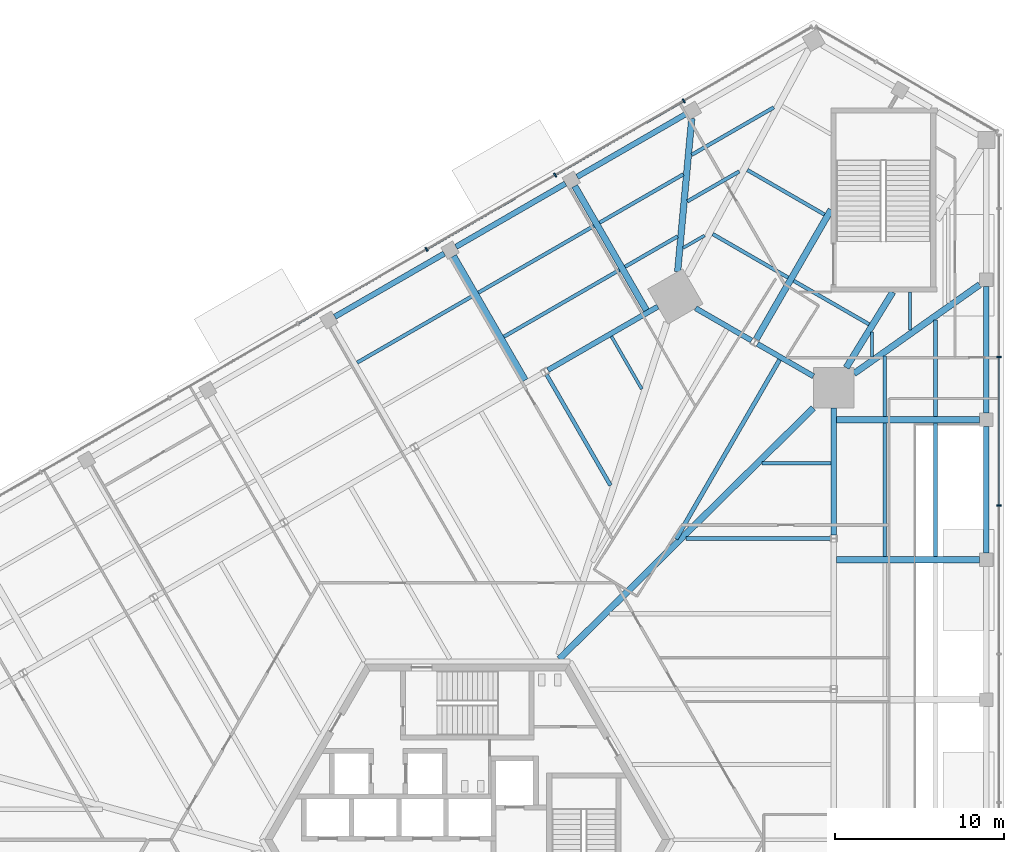
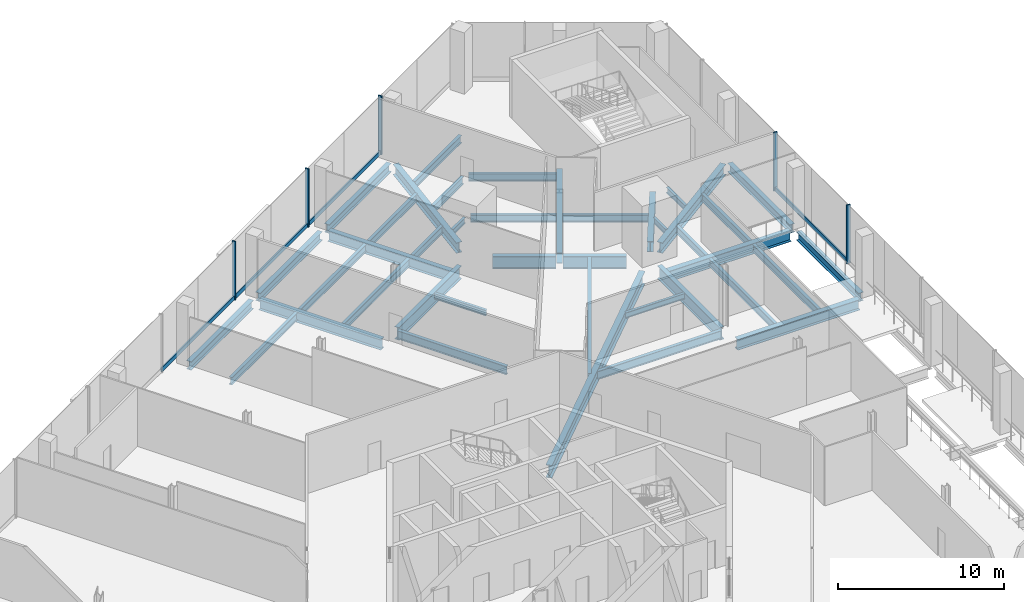
# One storey, part 14 of 27: 40 beams, 9 members, 2 elements without a shape of their own.
"""IFC4 building model written with IfcOpenShell, lengths in metres."""

from ifc_helpers import new_model, si_unit, direction, frame, origin, origin_2d, place, context, subcontext, project, spatial, rectangle, i_section, extrude, source, transform, mapped, material, material_profile, profile_set, type_object, element, aggregate, save


model = new_model("IFC4")

# Units and contexts
model_context = context("Model", 3, precision=1e-05, world=origin(), true_north=direction((0.0, 1.0)))
body_context = subcontext(model_context, "Body", "Model", "MODEL_VIEW")
ifc_project = project(units=[si_unit("LENGTHUNIT", "METRE"), si_unit("AREAUNIT", "SQUARE_METRE"), si_unit("VOLUMEUNIT", "CUBIC_METRE"), si_unit("PLANEANGLEUNIT", "RADIAN"), si_unit("MASSUNIT", "GRAM", prefix="KILO")], contexts=[model_context])

# Site, building, storey
site_placement = place(None, origin())
site = spatial("IfcSite", under=ifc_project, at=site_placement, CompositionType="ELEMENT")
building_placement = place(site_placement, origin())
building = spatial("IfcBuilding", under=site, at=building_placement, Name="Triune Harvest Tower", CompositionType="ELEMENT")
storey_placement = place(building_placement, frame((0.0, 0.0, 7.0)))
storey = spatial("IfcBuildingStorey", under=building, at=storey_placement, Name="L01", CompositionType="ELEMENT", Elevation=7.0)

# Beams
ifc_material_1 = material(Name="Steel ASTM A992 Gr 50", Category="steel")
ifc_material_profile_1 = material_profile(ifc_material_1, i_section(OverallWidth=0.309814453125, OverallDepth=0.93212890625, WebThickness=0.02099609375, FlangeThickness=0.034423828125, at=origin_2d()), Name="W36x210")
ifc_profile_set_1 = profile_set([ifc_material_profile_1], Name="Steel ASTM A992 Gr 50")
beam_type_1 = type_object("IfcBeamType", Name="SB-3 Spandrel beam W36x210", PredefinedType="SPANDREL", material=ifc_profile_set_1)
shared_shape_1 = source(origin(), body_context, "Body", "SweptSolid", [
    extrude(i_section(OverallWidth=0.309814453125, OverallDepth=0.93212890625, WebThickness=0.02099609375, FlangeThickness=0.034423828125, at=origin_2d()), origin(), (0.0, 0.0, 1.0), 7.508056640625),
])
beam_1_placement = place(storey_placement, frame((21.679443359375, 18.02197265625, -0.666015625), z_axis=(0.0, 1.0, 0.0), x_axis=(-1.0, 0.0, 0.0)))
element("IfcBeam", 1, at=beam_1_placement, inside=storey, type_object=beam_type_1, Name="beam/L01/SB6", PredefinedType="SPANDREL", context=body_context, shape_type="MappedRepresentation", body=[
    mapped(shared_shape_1, transform((0.0, 0.0, 0.0), scale=1.0)),
])
shared_shape_2 = source(origin(), body_context, "Body", "SweptSolid", [
    extrude(i_section(OverallWidth=0.309814453125, OverallDepth=0.93212890625, WebThickness=0.02099609375, FlangeThickness=0.034423828125, at=origin_2d()), origin(), (0.0, 0.0, 1.0), 3.822265625),
])
beam_2_placement = place(storey_placement, frame((20.4794921875, 27.4228515625, -0.666015625), z_axis=(-0.866033487859, 0.499985997711, 0.0), x_axis=(-0.499985997711, -0.866033487859, 0.0)))
element("IfcBeam", 2, at=beam_2_placement, inside=storey, type_object=beam_type_1, Name="beam/L01/SB7", PredefinedType="SPANDREL", context=body_context, shape_type="MappedRepresentation", body=[
    mapped(shared_shape_2, transform((0.0, 0.0, 0.0), scale=1.0)),
])
shared_shape_3 = source(origin(), body_context, "Body", "SweptSolid", [
    extrude(i_section(OverallWidth=0.309814453125, OverallDepth=0.93212890625, WebThickness=0.02099609375, FlangeThickness=0.034423828125, at=origin_2d()), origin(), (0.0, 0.0, 1.0), 3.822509765625),
])
beam_3_placement = place(storey_placement, frame((16.8193359375, 29.535888671875, -0.666015625), z_axis=(-0.866005830769, 0.500033899925, 0.0), x_axis=(-0.500033899925, -0.866005830769, 0.0)))
element("IfcBeam", 3, at=beam_3_placement, inside=storey, type_object=beam_type_1, Name="beam/L01/SB8", PredefinedType="SPANDREL", context=body_context, shape_type="MappedRepresentation", body=[
    mapped(shared_shape_3, transform((0.0, 0.0, 0.0), scale=1.0)),
])
shared_shape_4 = source(origin(), body_context, "Body", "SweptSolid", [
    extrude(i_section(OverallWidth=0.309814453125, OverallDepth=0.93212890625, WebThickness=0.02099609375, FlangeThickness=0.034423828125, at=origin_2d()), origin(), (0.0, 0.0, 1.0), 7.50830078125),
])
beam_4_placement = place(storey_placement, frame((11.27001953125, 31.5400390625, -0.666015625), z_axis=(-0.866027474485, -0.499996413425, 0.0), x_axis=(0.499996413425, -0.866027474485, 0.0)))
element("IfcBeam", 4, at=beam_4_placement, inside=storey, type_object=beam_type_1, Name="beam/L01/SB9", PredefinedType="SPANDREL", context=body_context, shape_type="MappedRepresentation", body=[
    mapped(shared_shape_4, transform((0.0, 0.0, 0.0), scale=1.0)),
])
ifc_material_2 = material(Name="Steel ASTM A992 Gr 50", Category="steel")
ifc_material_profile_2 = material_profile(ifc_material_2, i_section(OverallWidth=0.383544921875, OverallDepth=0.9423828125, WebThickness=0.022216796875, FlangeThickness=0.039794921875, at=origin_2d()), Name="W36x232")
ifc_profile_set_2 = profile_set([ifc_material_profile_2], Name="Steel ASTM A992 Gr 50")
beam_type_2 = type_object("IfcBeamType", Name="HG-1 Hip girder W36x232", PredefinedType="BEAM", material=ifc_profile_set_2)
shared_shape_5 = source(origin(), body_context, "Body", "SweptSolid", [
    extrude(i_section(OverallWidth=0.383544921875, OverallDepth=0.9423828125, WebThickness=0.022216796875, FlangeThickness=0.039794921875, at=origin_2d()), origin(), (0.0, 0.0, 1.0), 21.132568359375),
])
beam_5_placement = place(storey_placement, frame((20.4794921875, 25.545166015625, -0.671142578125), z_axis=(-0.711563602244, -0.7026216905, 0.0), x_axis=(0.7026216905, -0.711563602244, 0.0)))
element("IfcBeam", 5, at=beam_5_placement, inside=storey, type_object=beam_type_2, Name="beam/L01/HG2", PredefinedType="BEAM", context=body_context, shape_type="MappedRepresentation", body=[
    mapped(shared_shape_5, transform((0.0, 0.0, 0.0), scale=1.0)),
])
ifc_material_3 = material(Name="Steel ASTM A992 Gr 50", Category="steel")
ifc_material_profile_3 = material_profile(ifc_material_3, i_section(OverallWidth=0.180908203125, OverallDepth=0.41650390625, WebThickness=0.010986328125, FlangeThickness=0.01806640625, at=origin_2d()), Name="W16x57")
ifc_profile_set_3 = profile_set([ifc_material_profile_3], Name="Steel ASTM A992 Gr 50")
beam_type_3 = type_object("IfcBeamType", Name="JT-1 Floor joist W16x57", PredefinedType="JOIST", material=ifc_profile_set_3)
shared_shape_6 = source(origin(), body_context, "Body", "SweptSolid", [
    extrude(i_section(OverallWidth=0.180908203125, OverallDepth=0.41650390625, WebThickness=0.010986328125, FlangeThickness=0.01806640625, at=origin_2d()), origin(), (0.0, 0.0, 1.0), 3.596923828125),
])
beam_6_placement = place(storey_placement, frame((8.5283203125, 29.7783203125, -0.408203125), z_axis=(0.500029927959, -0.86600812418, 0.0), x_axis=(0.86600812418, 0.500029927959, 0.0)))
element("IfcBeam", 6, at=beam_6_placement, inside=storey, type_object=beam_type_3, Name="beam/L01/JT14", PredefinedType="JOIST", context=body_context, shape_type="MappedRepresentation", body=[
    mapped(shared_shape_6, transform((0.0, 0.0, 0.0), scale=1.0)),
])
ifc_material_4 = material(Name="Steel ASTM A992 Gr 50", Category="steel")
ifc_material_profile_4 = material_profile(ifc_material_4, i_section(OverallWidth=0.22900390625, OverallDepth=0.612060546875, WebThickness=0.011962890625, FlangeThickness=0.01953125, at=origin_2d()), Name="W24x84")
ifc_profile_set_4 = profile_set([ifc_material_profile_4], Name="Steel ASTM A992 Gr 50")
beam_type_4 = type_object("IfcBeamType", Name="JT-3 Floor joist W24x84", PredefinedType="JOIST", material=ifc_profile_set_4)
shared_shape_7 = source(origin(), body_context, "Body", "SweptSolid", [
    extrude(i_section(OverallWidth=0.22900390625, OverallDepth=0.612060546875, WebThickness=0.011962890625, FlangeThickness=0.01953125, at=origin_2d()), origin(), (0.0, 0.0, 1.0), 8.54736328125),
])
beam_7_placement = place(storey_placement, frame((21.476318359375, 17.820068359375, -0.506103515625), z_axis=(-1.0, 0.0, 0.0), x_axis=(0.0, -1.0, 0.0)))
element("IfcBeam", 7, at=beam_7_placement, inside=storey, type_object=beam_type_4, Name="beam/L01/JT10", PredefinedType="JOIST", context=body_context, shape_type="MappedRepresentation", body=[
    mapped(shared_shape_7, transform((0.0, 0.0, 0.0), scale=1.0)),
])
shared_shape_8 = source(origin(), body_context, "Body", "SweptSolid", [
    extrude(i_section(OverallWidth=0.180908203125, OverallDepth=0.41650390625, WebThickness=0.010986328125, FlangeThickness=0.01806640625, at=origin_2d()), origin(), (0.0, 0.0, 1.0), 4.083984375),
])
beam_8_placement = place(storey_placement, frame((21.524658203125, 22.27490234375, -0.408203125), z_axis=(-1.0, 0.0, 0.0), x_axis=(0.0, -1.0, 0.0)))
element("IfcBeam", 8, at=beam_8_placement, inside=storey, type_object=beam_type_3, Name="beam/L01/JT11", PredefinedType="JOIST", context=body_context, shape_type="MappedRepresentation", body=[
    mapped(shared_shape_8, transform((0.0, 0.0, 0.0), scale=1.0)),
])
ifc_material_5 = material(Name="Steel ASTM A992 Gr 50", Category="steel")
ifc_material_profile_5 = material_profile(ifc_material_5, i_section(OverallWidth=0.253662109375, OverallDepth=0.683349609375, WebThickness=0.012451171875, FlangeThickness=0.01904296875, at=origin_2d()), Name="W27x94")
ifc_profile_set_5 = profile_set([ifc_material_profile_5], Name="Steel ASTM A992 Gr 50")
beam_type_5 = type_object("IfcBeamType", Name="JT-4 Floor joist W27x94", PredefinedType="JOIST", material=ifc_profile_set_5)
shared_shape_9 = source(origin(), body_context, "Body", "SweptSolid", [
    extrude(i_section(OverallWidth=0.253662109375, OverallDepth=0.683349609375, WebThickness=0.012451171875, FlangeThickness=0.01904296875, at=origin_2d()), origin(), (0.0, 0.0, 1.0), 12.24853515625),
])
beam_9_placement = place(storey_placement, frame((18.478515625, 28.399169921875, -0.54150390625), z_axis=(-0.500004268083, -0.866022939592, 0.0), x_axis=(0.866022939592, -0.500004268083, 0.0)))
element("IfcBeam", 9, at=beam_9_placement, inside=storey, type_object=beam_type_5, Name="beam/L01/JT12", PredefinedType="JOIST", context=body_context, shape_type="MappedRepresentation", body=[
    mapped(shared_shape_9, transform((0.0, 0.0, 0.0), scale=1.0)),
])
shared_shape_10 = source(origin(), body_context, "Body", "SweptSolid", [
    extrude(i_section(OverallWidth=0.22900390625, OverallDepth=0.612060546875, WebThickness=0.011962890625, FlangeThickness=0.01953125, at=origin_2d()), origin(), (0.0, 0.0, 1.0), 7.55859375),
])
beam_10_placement = place(storey_placement, frame((4.6943359375, 27.509033203125, -0.506103515625), z_axis=(0.500002049001, -0.86602422079, 0.0), x_axis=(0.86602422079, 0.500002049001, 0.0)))
element("IfcBeam", 10, at=beam_10_placement, inside=storey, type_object=beam_type_4, Name="beam/L01/JT15", PredefinedType="JOIST", context=body_context, shape_type="MappedRepresentation", body=[
    mapped(shared_shape_10, transform((0.0, 0.0, 0.0), scale=1.0)),
])
ifc_material_6 = material(Name="Steel ASTM A992 Gr 50", Category="steel")
ifc_material_profile_6 = material_profile(ifc_material_6, i_section(OverallWidth=0.32763671875, OverallDepth=0.62744140625, WebThickness=0.0166015625, FlangeThickness=0.027587890625, at=origin_2d()), Name="W24x146")
ifc_profile_set_6 = profile_set([ifc_material_profile_6], Name="Steel ASTM A992 Gr 50")
beam_type_6 = type_object("IfcBeamType", Name="PD-4 Podium edge beam W24x146", PredefinedType="BEAM", material=ifc_profile_set_6)
shared_shape_11 = source(origin(), body_context, "Body", "SweptSolid", [
    extrude(i_section(OverallWidth=0.32763671875, OverallDepth=0.62744140625, WebThickness=0.0166015625, FlangeThickness=0.027587890625, at=origin_2d()), origin(), (0.0, 0.0, 1.0), 7.47998046875),
])
for number, where, z_axis, x_axis, name in (
    (11, (30.715087890625, 16.9599609375, -0.513671875), (0.0, 1.0, 0.0), (-1.0, 0.0, 0.0), "beam/L01/PE8"),
    (12, (30.715087890625, 25.239990234375, -0.513671875), (0.0, 1.0, 0.0), (-1.0, 0.0, 0.0), "beam/L01/PE9"),
    (13, (12.978759765625, 42.9599609375, -0.513671875), (-0.866023067432, -0.500004046659, 0.0), (0.500004046659, -0.866023067432, 0.0), "beam/L01/PE15"),
):
    element("IfcBeam", number, at=place(storey_placement, frame(where, z_axis=z_axis, x_axis=x_axis)), inside=storey, type_object=beam_type_6, Name=name, PredefinedType="BEAM", context=body_context, shape_type="MappedRepresentation", body=[
        mapped(shared_shape_11, transform((0.0, 0.0, 0.0), scale=1.0)),
    ])
shared_shape_12 = source(origin(), body_context, "Body", "SweptSolid", [
    extrude(i_section(OverallWidth=0.32763671875, OverallDepth=0.62744140625, WebThickness=0.0166015625, FlangeThickness=0.027587890625, at=origin_2d()), origin(), (0.0, 0.0, 1.0), 7.480224609375),
])
for number, where, z_axis, x_axis, name in (
    (14, (5.80810546875, 38.820068359375, -0.513671875), (-0.866031227086, -0.49998991361, 0.0), (0.49998991361, -0.866031227086, 0.0), "beam/L01/PE16"),
    (15, (-1.362548828125, 34.679931640625, -0.513671875), (-0.866031227086, -0.49998991361, 0.0), (0.49998991361, -0.866031227086, 0.0), "beam/L01/PE17"),
):
    element("IfcBeam", number, at=place(storey_placement, frame(where, z_axis=z_axis, x_axis=x_axis)), inside=storey, type_object=beam_type_6, Name=name, PredefinedType="BEAM", context=body_context, shape_type="MappedRepresentation", body=[
        mapped(shared_shape_12, transform((0.0, 0.0, 0.0), scale=1.0)),
    ])
ifc_material_7 = material(Name="Steel ASTM A992 Gr 50", Category="steel")
ifc_material_profile_7 = material_profile(ifc_material_7, i_section(OverallWidth=0.381103515625, OverallDepth=0.772216796875, WebThickness=0.0166015625, FlangeThickness=0.027099609375, at=origin_2d()), Name="W30x173")
ifc_profile_set_7 = profile_set([ifc_material_profile_7], Name="Steel ASTM A992 Gr 50")
beam_type_7 = type_object("IfcBeamType", Name="PD-3 Podium girder W30x173", PredefinedType="BEAM", material=ifc_profile_set_7)
shared_shape_13 = source(origin(), body_context, "Body", "SweptSolid", [
    extrude(i_section(OverallWidth=0.381103515625, OverallDepth=0.772216796875, WebThickness=0.0166015625, FlangeThickness=0.027099609375, at=origin_2d()), origin(), (0.0, 0.0, 1.0), 5.249755859375),
])
beam_11_placement = place(storey_placement, frame((25.171875, 32.39990234375, -0.586181640625), z_axis=(-0.524432098378, -0.851452273584, 0.0), x_axis=(0.851452273584, -0.524432098378, 0.0)))
element("IfcBeam", 16, at=beam_11_placement, inside=storey, type_object=beam_type_7, Name="beam/L01/PR13", PredefinedType="BEAM", context=body_context, shape_type="MappedRepresentation", body=[
    mapped(shared_shape_13, transform((0.0, 0.0, 0.0), scale=1.0)),
])
shared_shape_14 = source(origin(), body_context, "Body", "SweptSolid", [
    extrude(i_section(OverallWidth=0.381103515625, OverallDepth=0.772216796875, WebThickness=0.0166015625, FlangeThickness=0.027099609375, at=origin_2d()), origin(), (0.0, 0.0, 1.0), 9.107421875),
])
beam_12_placement = place(storey_placement, frame((30.315185546875, 32.837158203125, -0.586181640625), z_axis=(-0.816463107169, -0.577397605323, 0.0), x_axis=(0.577397605323, -0.816463107169, 0.0)))
element("IfcBeam", 17, at=beam_12_placement, inside=storey, type_object=beam_type_7, Name="beam/L01/PR11", PredefinedType="BEAM", context=body_context, shape_type="MappedRepresentation", body=[
    mapped(shared_shape_14, transform((0.0, 0.0, 0.0), scale=1.0)),
])
shared_shape_15 = source(origin(), body_context, "Body", "SweptSolid", [
    extrude(i_section(OverallWidth=0.381103515625, OverallDepth=0.772216796875, WebThickness=0.0166015625, FlangeThickness=0.027099609375, at=origin_2d()), origin(), (0.0, 0.0, 1.0), 8.480712890625),
])
for number, where, z_axis, x_axis, name in (
    (18, (30.315185546875, 16.56005859375, -0.586181640625), (-1.0, 0.0, 0.0), (0.0, -1.0, 0.0), "beam/L01/PR9"),
    (19, (30.315185546875, 24.840087890625, -0.586181640625), (-1.0, 0.0, 0.0), (0.0, -1.0, 0.0), "beam/L01/PR10"),
    (20, (6.3544921875, 38.673583984375, -0.586181640625), (0.499990755813, -0.866030740852, 0.0), (0.866030740852, 0.499990755813, 0.0), "beam/L01/PR18"),
    (21, (-0.816162109375, 34.53369140625, -0.586181640625), (0.499990755813, -0.866030740852, 0.0), (0.866030740852, 0.499990755813, 0.0), "beam/L01/PR19"),
):
    element("IfcBeam", number, at=place(storey_placement, frame(where, z_axis=z_axis, x_axis=x_axis)), inside=storey, type_object=beam_type_7, Name=name, PredefinedType="BEAM", context=body_context, shape_type="MappedRepresentation", body=[
        mapped(shared_shape_15, transform((0.0, 0.0, 0.0), scale=1.0)),
    ])
shared_shape_16 = source(origin(), body_context, "Body", "SweptSolid", [
    extrude(i_section(OverallWidth=0.381103515625, OverallDepth=0.772216796875, WebThickness=0.0166015625, FlangeThickness=0.027099609375, at=origin_2d()), origin(), (0.0, 0.0, 1.0), 8.84814453125),
])
beam_13_placement = place(storey_placement, frame((21.52001953125, 37.273681640625, -0.586181640625), z_axis=(-0.500005886554, -0.866022005154, 0.0), x_axis=(0.866022005154, -0.500005886554, 0.0)))
element("IfcBeam", 22, at=beam_13_placement, inside=storey, type_object=beam_type_7, Name="beam/L01/PR15", PredefinedType="BEAM", context=body_context, shape_type="MappedRepresentation", body=[
    mapped(shared_shape_16, transform((0.0, 0.0, 0.0), scale=1.0)),
])
shared_shape_17 = source(origin(), body_context, "Body", "SweptSolid", [
    extrude(i_section(OverallWidth=0.381103515625, OverallDepth=0.772216796875, WebThickness=0.0166015625, FlangeThickness=0.027099609375, at=origin_2d()), origin(), (0.0, 0.0, 1.0), 9.107177734375),
])
beam_14_placement = place(storey_placement, frame((13.2802734375, 42.672119140625, -0.586181640625), z_axis=(-0.091816732647, -0.995775922387, 0.0), x_axis=(0.995775922387, -0.091816732647, 0.0)))
element("IfcBeam", 23, at=beam_14_placement, inside=storey, type_object=beam_type_7, Name="beam/L01/PR17", PredefinedType="BEAM", context=body_context, shape_type="MappedRepresentation", body=[
    mapped(shared_shape_17, transform((0.0, 0.0, 0.0), scale=1.0)),
])
ifc_material_8 = material(Name="Steel ASTM A992 Gr 50", Category="steel")
ifc_material_profile_8 = material_profile(ifc_material_8, i_section(OverallWidth=0.180908203125, OverallDepth=0.41650390625, WebThickness=0.010986328125, FlangeThickness=0.01806640625, at=origin_2d()), Name="W16x57")
ifc_profile_set_8 = profile_set([ifc_material_profile_8], Name="Steel ASTM A992 Gr 50")
beam_type_8 = type_object("IfcBeamType", Name="PD-6 Podium short joist W16x57", PredefinedType="JOIST", material=ifc_profile_set_8)
shared_shape_18 = source(origin(), body_context, "Body", "SweptSolid", [
    extrude(i_section(OverallWidth=0.180908203125, OverallDepth=0.41650390625, WebThickness=0.010986328125, FlangeThickness=0.01806640625, at=origin_2d()), origin(), (0.0, 0.0, 1.0), 2.24169921875),
])
beam_15_placement = place(storey_placement, frame((26.197265625, 30.158203125, -0.408203125), z_axis=(0.0, 1.0, 0.0), x_axis=(-1.0, 0.0, 0.0)))
element("IfcBeam", 24, at=beam_15_placement, inside=storey, type_object=beam_type_8, Name="beam/L01/PJ21", PredefinedType="JOIST", context=body_context, shape_type="MappedRepresentation", body=[
    mapped(shared_shape_18, transform((0.0, 0.0, 0.0), scale=1.0)),
])
shared_shape_19 = source(origin(), body_context, "Body", "SweptSolid", [
    extrude(i_section(OverallWidth=0.180908203125, OverallDepth=0.41650390625, WebThickness=0.010986328125, FlangeThickness=0.01806640625, at=origin_2d()), origin(), (0.0, 0.0, 1.0), 1.473388671875),
])
for number, where, z_axis, x_axis, name in (
    (25, (23.9384765625, 28.560791015625, -0.408203125), (0.0, 1.0, 0.0), (-1.0, 0.0, 0.0), "beam/L01/PJ22"),
    (26, (14.041259765625, 35.748291015625, -0.408203125), (-0.866083503307, -0.499899355171, 0.0), (0.499899355171, -0.866083503307, 0.0), "beam/L01/PJ30"),
):
    element("IfcBeam", number, at=place(storey_placement, frame(where, z_axis=z_axis, x_axis=x_axis)), inside=storey, type_object=beam_type_8, Name=name, PredefinedType="JOIST", context=body_context, shape_type="MappedRepresentation", body=[
        mapped(shared_shape_19, transform((0.0, 0.0, 0.0), scale=1.0)),
    ])
ifc_material_9 = material(Name="Steel ASTM A992 Gr 50", Category="steel")
ifc_material_profile_9 = material_profile(ifc_material_9, i_section(OverallWidth=0.2138671875, OverallDepth=0.548583984375, WebThickness=0.0146484375, FlangeThickness=0.023681640625, at=origin_2d()), Name="W21x93")
ifc_profile_set_9 = profile_set([ifc_material_profile_9], Name="Steel ASTM A992 Gr 50")
beam_type_9 = type_object("IfcBeamType", Name="PD-5 Podium joist W21x93", PredefinedType="JOIST", material=ifc_profile_set_9)
shared_shape_20 = source(origin(), body_context, "Body", "SweptSolid", [
    extrude(i_section(OverallWidth=0.2138671875, OverallDepth=0.548583984375, WebThickness=0.0146484375, FlangeThickness=0.023681640625, at=origin_2d()), origin(), (0.0, 0.0, 1.0), 5.72607421875),
])
beam_16_placement = place(storey_placement, frame((27.703125, 25.030517578125, -0.474365234375), z_axis=(0.0, 1.0, 0.0), x_axis=(-1.0, 0.0, 0.0)))
element("IfcBeam", 27, at=beam_16_placement, inside=storey, type_object=beam_type_9, Name="beam/L01/PJ18", PredefinedType="JOIST", context=body_context, shape_type="MappedRepresentation", body=[
    mapped(shared_shape_20, transform((0.0, 0.0, 0.0), scale=1.0)),
])
shared_shape_21 = source(origin(), body_context, "Body", "SweptSolid", [
    extrude(i_section(OverallWidth=0.2138671875, OverallDepth=0.548583984375, WebThickness=0.0146484375, FlangeThickness=0.023681640625, at=origin_2d()), origin(), (0.0, 0.0, 1.0), 3.59619140625),
])
for number, where, z_axis, x_axis, name in (
    (28, (24.69140625, 25.030517578125, -0.474365234375), (0.0, 1.0, 0.0), (-1.0, 0.0, 0.0), "beam/L01/PJ19"),
    (29, (12.44580078125, 35.696533203125, -0.474365234375), (-0.866062364587, -0.499935976547, 0.0), (0.499935976547, -0.866062364587, 0.0), "beam/L01/PJ32"),
):
    element("IfcBeam", number, at=place(storey_placement, frame(where, z_axis=z_axis, x_axis=x_axis)), inside=storey, type_object=beam_type_9, Name=name, PredefinedType="JOIST", context=body_context, shape_type="MappedRepresentation", body=[
        mapped(shared_shape_21, transform((0.0, 0.0, 0.0), scale=1.0)),
    ])
shared_shape_22 = source(origin(), body_context, "Body", "SweptSolid", [
    extrude(i_section(OverallWidth=0.2138671875, OverallDepth=0.548583984375, WebThickness=0.0146484375, FlangeThickness=0.023681640625, at=origin_2d()), origin(), (0.0, 0.0, 1.0), 7.89892578125),
])
for number, where, z_axis, x_axis, name in (
    (30, (27.703125, 16.75048828125, -0.474365234375), (0.0, 1.0, 0.0), (-1.0, 0.0, 0.0), "beam/L01/PJ16"),
    (31, (24.69140625, 16.75048828125, -0.474365234375), (0.0, 1.0, 0.0), (-1.0, 0.0, 0.0), "beam/L01/PJ17"),
    (32, (7.495361328125, 36.31640625, -0.474365234375), (-0.866022421773, -0.50000516496, 0.0), (0.50000516496, -0.866022421773, 0.0), "beam/L01/PJ33"),
):
    element("IfcBeam", number, at=place(storey_placement, frame(where, z_axis=z_axis, x_axis=x_axis)), inside=storey, type_object=beam_type_9, Name=name, PredefinedType="JOIST", context=body_context, shape_type="MappedRepresentation", body=[
        mapped(shared_shape_22, transform((0.0, 0.0, 0.0), scale=1.0)),
    ])
shared_shape_23 = source(origin(), body_context, "Body", "SweptSolid", [
    extrude(i_section(OverallWidth=0.2138671875, OverallDepth=0.548583984375, WebThickness=0.0146484375, FlangeThickness=0.023681640625, at=origin_2d()), origin(), (0.0, 0.0, 1.0), 7.899169921875),
])
for number, where, z_axis, x_axis, name in (
    (33, (9.00146484375, 33.7080078125, -0.474365234375), (-0.866030148722, -0.499991781437, 0.0), (0.499991781437, -0.866030148722, 0.0), "beam/L01/PJ34"),
    (34, (0.32470703125, 32.176513671875, -0.474365234375), (-0.866016765394, -0.500014961832, 0.0), (0.500014961832, -0.866016765394, 0.0), "beam/L01/PJ35"),
):
    element("IfcBeam", number, at=place(storey_placement, frame(where, z_axis=z_axis, x_axis=x_axis)), inside=storey, type_object=beam_type_9, Name=name, PredefinedType="JOIST", context=body_context, shape_type="MappedRepresentation", body=[
        mapped(shared_shape_23, transform((0.0, 0.0, 0.0), scale=1.0)),
    ])
shared_shape_24 = source(origin(), body_context, "Body", "SweptSolid", [
    extrude(i_section(OverallWidth=0.2138671875, OverallDepth=0.548583984375, WebThickness=0.0146484375, FlangeThickness=0.023681640625, at=origin_2d()), origin(), (0.0, 0.0, 1.0), 5.151611328125),
])
beam_17_placement = place(storey_placement, frame((23.7734375, 30.492919921875, -0.474365234375), z_axis=(-0.866035639972, 0.499982269985, 0.0), x_axis=(-0.499982269985, -0.866035639972, 0.0)))
element("IfcBeam", 35, at=beam_17_placement, inside=storey, type_object=beam_type_9, Name="beam/L01/PJ24", PredefinedType="JOIST", context=body_context, shape_type="MappedRepresentation", body=[
    mapped(shared_shape_24, transform((0.0, 0.0, 0.0), scale=1.0)),
])
shared_shape_25 = source(origin(), body_context, "Body", "SweptSolid", [
    extrude(i_section(OverallWidth=0.2138671875, OverallDepth=0.548583984375, WebThickness=0.0146484375, FlangeThickness=0.023681640625, at=origin_2d()), origin(), (0.0, 0.0, 1.0), 5.27392578125),
])
beam_18_placement = place(storey_placement, frame((21.135009765625, 36.98779296875, -0.474365234375), z_axis=(-0.866026783594, 0.499997610092, 0.0), x_axis=(-0.499997610092, -0.866026783594, 0.0)))
element("IfcBeam", 36, at=beam_18_placement, inside=storey, type_object=beam_type_9, Name="beam/L01/PJ26", PredefinedType="JOIST", context=body_context, shape_type="MappedRepresentation", body=[
    mapped(shared_shape_25, transform((0.0, 0.0, 0.0), scale=1.0)),
])
shared_shape_26 = source(origin(), body_context, "Body", "SweptSolid", [
    extrude(i_section(OverallWidth=0.2138671875, OverallDepth=0.548583984375, WebThickness=0.0146484375, FlangeThickness=0.023681640625, at=origin_2d()), origin(), (0.0, 0.0, 1.0), 5.1513671875),
])
beam_19_placement = place(storey_placement, frame((18.982177734375, 33.259033203125, -0.474365234375), z_axis=(-0.866023792161, 0.500002791403, 0.0), x_axis=(-0.500002791403, -0.866023792161, 0.0)))
element("IfcBeam", 37, at=beam_19_placement, inside=storey, type_object=beam_type_9, Name="beam/L01/PJ27", PredefinedType="JOIST", context=body_context, shape_type="MappedRepresentation", body=[
    mapped(shared_shape_26, transform((0.0, 0.0, 0.0), scale=1.0)),
])
shared_shape_27 = source(origin(), body_context, "Body", "SweptSolid", [
    extrude(i_section(OverallWidth=0.2138671875, OverallDepth=0.548583984375, WebThickness=0.0146484375, FlangeThickness=0.023681640625, at=origin_2d()), origin(), (0.0, 0.0, 1.0), 5.61376953125),
])
beam_20_placement = place(storey_placement, frame((18.134765625, 43.328369140625, -0.474365234375), z_axis=(-0.866021183736, -0.500007309266, 0.0), x_axis=(0.500007309266, -0.866021183736, 0.0)))
element("IfcBeam", 38, at=beam_20_placement, inside=storey, type_object=beam_type_9, Name="beam/L01/PJ28", PredefinedType="JOIST", context=body_context, shape_type="MappedRepresentation", body=[
    mapped(shared_shape_27, transform((0.0, 0.0, 0.0), scale=1.0)),
])
shared_shape_28 = source(origin(), body_context, "Body", "SweptSolid", [
    extrude(i_section(OverallWidth=0.2138671875, OverallDepth=0.548583984375, WebThickness=0.0146484375, FlangeThickness=0.023681640625, at=origin_2d()), origin(), (0.0, 0.0, 1.0), 3.54345703125),
])
beam_21_placement = place(storey_placement, frame((16.087890625, 39.538330078125, -0.474365234375), z_axis=(-0.866016916595, -0.500014699955, 0.0), x_axis=(0.500014699955, -0.866016916595, 0.0)))
element("IfcBeam", 39, at=beam_21_placement, inside=storey, type_object=beam_type_9, Name="beam/L01/PJ29", PredefinedType="JOIST", context=body_context, shape_type="MappedRepresentation", body=[
    mapped(shared_shape_28, transform((0.0, 0.0, 0.0), scale=1.0)),
])
shared_shape_29 = source(origin(), body_context, "Body", "SweptSolid", [
    extrude(i_section(OverallWidth=0.2138671875, OverallDepth=0.548583984375, WebThickness=0.0146484375, FlangeThickness=0.023681640625, at=origin_2d()), origin(), (0.0, 0.0, 1.0), 5.726318359375),
])
beam_22_placement = place(storey_placement, frame((12.784423828125, 39.3701171875, -0.474365234375), z_axis=(-0.866009501729, -0.500027542156, 0.0), x_axis=(0.500027542156, -0.866009501729, 0.0)))
element("IfcBeam", 40, at=beam_22_placement, inside=storey, type_object=beam_type_9, Name="beam/L01/PJ31", PredefinedType="JOIST", context=body_context, shape_type="MappedRepresentation", body=[
    mapped(shared_shape_29, transform((0.0, 0.0, 0.0), scale=1.0)),
])

# Curtain wall, members
ifc_material_10 = material(Name="Aluminium bronze anodised", Category="aluminium")
curtain_wall_type = type_object("IfcCurtainWallType", Name="CW-2 Podium shopfront wall", PredefinedType="NOTDEFINED", material=ifc_material_10)
curtain_wall_1_placement = place(storey_placement, origin())
curtain_wall_1 = element("IfcCurtainWall", 41, at=curtain_wall_1_placement, inside=storey, type_object=curtain_wall_type, Name="CW-2 PD-F1 L01 run 1")
ifc_material_11 = material(Name="Aluminium bronze anodised", Category="aluminium")
ifc_material_profile_10 = material_profile(ifc_material_11, rectangle(XDim=0.25, YDim=0.090087890625, at=origin_2d()), Name="MU-2 mullion 90 x 250")
ifc_profile_set_10 = profile_set([ifc_material_profile_10], Name="Aluminium bronze anodised")
member_type_1 = type_object("IfcMemberType", Name="MU-2 mullion 90 x 250", PredefinedType="MULLION", material=ifc_profile_set_10)
shared_shape_30 = source(origin(), body_context, "Body", "SweptSolid", [
    extrude(rectangle(XDim=0.25, YDim=0.090087890625, at=origin_2d()), origin(), (0.0, 0.0, 1.0), 4.300048828125),
])
member_1_placement = place(storey_placement, frame((31.454345703125, 19.77001953125, 0.0), z_axis=(0.0, 0.0, 1.0), x_axis=(-1.0, 0.0, 0.0)))
member_1 = element("IfcMember", 42, at=member_1_placement, type_object=member_type_1, Name="CW-2 mullion PD-F1 1.15", PredefinedType="MULLION", context=body_context, shape_type="MappedRepresentation", body=[
    mapped(shared_shape_30, transform((0.0, 0.0, 0.0), scale=1.0)),
])
member_2_placement = place(storey_placement, frame((31.454345703125, 28.556640625, 0.0), z_axis=(0.0, 0.0, 1.0), x_axis=(-1.0, 0.0, 0.0)))
member_2 = element("IfcMember", 43, at=member_2_placement, type_object=member_type_1, Name="CW-2 mullion PD-F1 1.17", PredefinedType="MULLION", context=body_context, shape_type="MappedRepresentation", body=[
    mapped(shared_shape_30, transform((0.0, 0.0, 0.0), scale=1.0)),
])

curtain_wall_2_placement = place(storey_placement, origin())
curtain_wall_2 = element("IfcCurtainWall", 44, at=curtain_wall_2_placement, inside=storey, type_object=curtain_wall_type, Name="CW-2 PD-F3 L01 run 1")
member_3_placement = place(storey_placement, frame((12.808349609375, 43.71533203125, 0.0), z_axis=(0.0, 0.0, 1.0), x_axis=(0.500000221117, -0.866025276122, 0.0)))
member_3 = element("IfcMember", 45, at=member_3_placement, type_object=member_type_1, Name="CW-2 mullion PD-F3 1.3", PredefinedType="MULLION", context=body_context, shape_type="MappedRepresentation", body=[
    mapped(shared_shape_30, transform((0.0, 0.0, 0.0), scale=1.0)),
])
member_4_placement = place(storey_placement, frame((5.198974609375, 39.322021484375, 0.0), z_axis=(0.0, 0.0, 1.0), x_axis=(0.500000221117, -0.866025276122, 0.0)))
member_4 = element("IfcMember", 46, at=member_4_placement, type_object=member_type_1, Name="CW-2 mullion PD-F3 1.5", PredefinedType="MULLION", context=body_context, shape_type="MappedRepresentation", body=[
    mapped(shared_shape_30, transform((0.0, 0.0, 0.0), scale=1.0)),
])
member_5_placement = place(storey_placement, frame((-2.41064453125, 34.928466796875, 0.0), z_axis=(0.0, 0.0, 1.0), x_axis=(0.500000221117, -0.866025276122, 0.0)))
member_5 = element("IfcMember", 47, at=member_5_placement, type_object=member_type_1, Name="CW-2 mullion PD-F3 1.7", PredefinedType="MULLION", context=body_context, shape_type="MappedRepresentation", body=[
    mapped(shared_shape_30, transform((0.0, 0.0, 0.0), scale=1.0)),
])
ifc_material_12 = material(Name="Aluminium bronze anodised", Category="aluminium")
ifc_material_profile_11 = material_profile(ifc_material_12, rectangle(XDim=0.10009765625, YDim=0.300048828125, at=origin_2d()), Name="TR-2 transom 100 x 300")
ifc_profile_set_11 = profile_set([ifc_material_profile_11], Name="Aluminium bronze anodised")
member_type_2 = type_object("IfcMemberType", Name="TR-2 transom 100 x 300", PredefinedType="USERDEFINED", material=ifc_profile_set_11)
shared_shape_31 = source(origin(), body_context, "Body", "SweptSolid", [
    extrude(rectangle(XDim=0.10009765625, YDim=0.300048828125, at=origin_2d()), origin(), (0.0, 0.0, 1.0), 8.696533203125),
])
member_6_placement = place(storey_placement, frame((5.159912109375, 39.29931640625, 0.14990234375), z_axis=(-0.866033651025, -0.499985715088, 0.0), x_axis=(0.499985715088, -0.866033651025, 0.0)))
member_6 = element("IfcMember", 48, at=member_6_placement, type_object=member_type_2, Name="CW-2 transom PD-F3 1.3", ObjectType="TRANSOM", PredefinedType="USERDEFINED", context=body_context, shape_type="MappedRepresentation", body=[
    mapped(shared_shape_31, transform((0.0, 0.0, 0.0), scale=1.0)),
])

# Member
shared_shape_32 = source(origin(), body_context, "Body", "SweptSolid", [
    extrude(rectangle(XDim=0.10009765625, YDim=0.300048828125, at=origin_2d()), origin(), (0.0, 0.0, 1.0), 8.69677734375),
])
member_7_placement = place(storey_placement, frame((31.454345703125, 19.81494140625, 0.14990234375), z_axis=(0.0, 1.0, 0.0), x_axis=(-1.0, 0.0, 0.0)))
member_7 = element("IfcMember", 49, at=member_7_placement, type_object=member_type_2, Name="CW-2 transom PD-F1 1.8", ObjectType="TRANSOM", PredefinedType="USERDEFINED", context=body_context, shape_type="MappedRepresentation", body=[
    mapped(shared_shape_32, transform((0.0, 0.0, 0.0), scale=1.0)),
])

aggregate(curtain_wall_1, [member_1, member_2, member_7])

member_8_placement = place(storey_placement, frame((12.76953125, 43.69287109375, 0.14990234375), z_axis=(-0.86602149507, -0.500006770031, 0.0), x_axis=(0.500006770031, -0.86602149507, 0.0)))
member_8 = element("IfcMember", 50, at=member_8_placement, type_object=member_type_2, Name="CW-2 transom PD-F3 1.2", ObjectType="TRANSOM", PredefinedType="USERDEFINED", context=body_context, shape_type="MappedRepresentation", body=[
    mapped(shared_shape_32, transform((0.0, 0.0, 0.0), scale=1.0)),
])

member_9_placement = place(storey_placement, frame((-2.449462890625, 34.906005859375, 0.14990234375), z_axis=(-0.86602149507, -0.500006770031, 0.0), x_axis=(0.500006770031, -0.86602149507, 0.0)))
member_9 = element("IfcMember", 51, at=member_9_placement, type_object=member_type_2, Name="CW-2 transom PD-F3 1.4", ObjectType="TRANSOM", PredefinedType="USERDEFINED", context=body_context, shape_type="MappedRepresentation", body=[
    mapped(shared_shape_32, transform((0.0, 0.0, 0.0), scale=1.0)),
])

aggregate(curtain_wall_2, [member_3, member_4, member_5, member_8, member_6, member_9])

save(model, "model.ifc")
